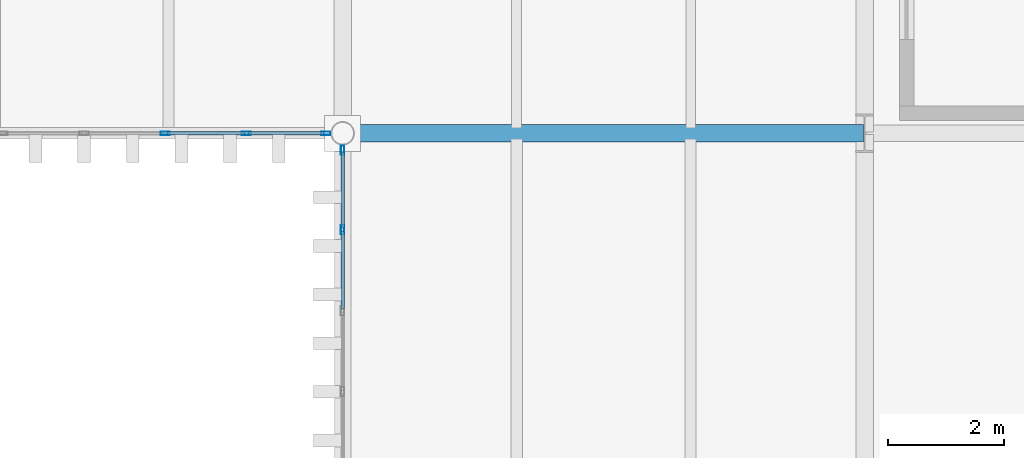
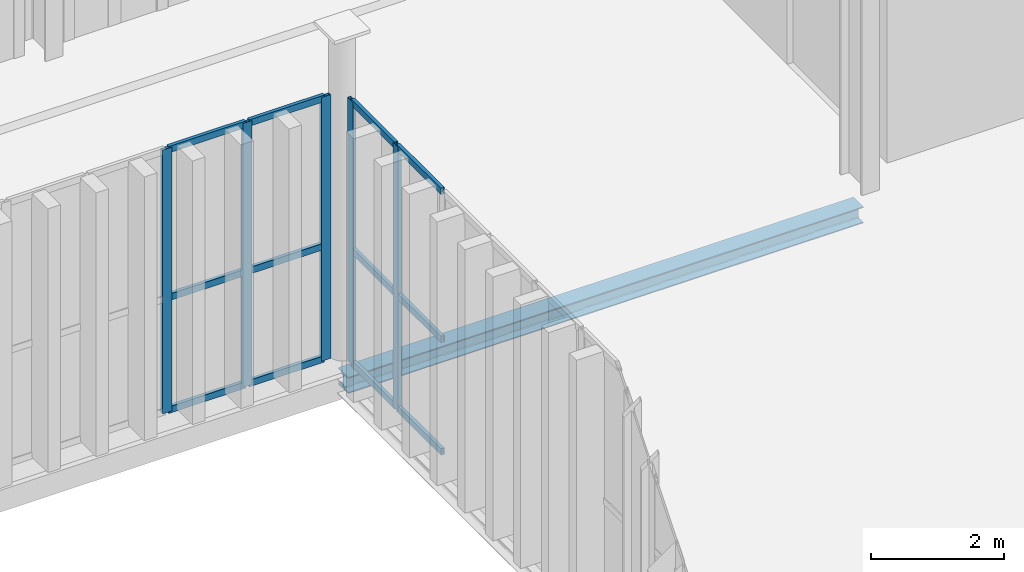
# One storey, part 148 of 237: 17 members, 1 beam, 2 elements without a shape of their own.
"""IFC4 building model written with IfcOpenShell, lengths in metres."""

from ifc_helpers import new_model, si_unit, direction, frame, origin, origin_2d, place, context, subcontext, project, spatial, hollow_rectangle, i_section, extrude, material, layer, layer_set, material_profile, profile_set, type_object, element, aggregate, save


model = new_model("IFC4")

# Units and contexts
model_context = context("Model", 3, precision=1e-05, world=origin(), true_north=direction((0.0, 1.0)))
body_context = subcontext(model_context, "Body", "Model", "MODEL_VIEW")
ifc_project = project(units=[si_unit("LENGTHUNIT", "METRE"), si_unit("AREAUNIT", "SQUARE_METRE"), si_unit("VOLUMEUNIT", "CUBIC_METRE"), si_unit("PLANEANGLEUNIT", "RADIAN"), si_unit("MASSUNIT", "GRAM", prefix="KILO")], contexts=[model_context])

# Site, building, storey
site_placement = place(None, origin())
site = spatial("IfcSite", under=ifc_project, at=site_placement, CompositionType="ELEMENT")
building_placement = place(site_placement, origin())
building = spatial("IfcBuilding", under=site, at=building_placement, Name="Barlavento Convention Centre", CompositionType="ELEMENT")
storey_placement = place(building_placement, frame((0.0, 0.0, 12.0)))
storey = spatial("IfcBuildingStorey", under=building, at=storey_placement, Name="L02", CompositionType="ELEMENT", Elevation=12.0)

# Curtain wall, members
ifc_material_1 = material(Name="Powder-coated aluminium and Low-E glass", Category="aluminium")
ifc_layer = layer(ifc_material_1, 0.195068359375)
ifc_layer_set = layer_set([ifc_layer], Name="ARC-CW-PATIO-A")
curtain_wall_type = type_object("IfcCurtainWallType", Name="ARC-CW-PATIO-A", PredefinedType="NOTDEFINED", material=ifc_layer_set)
curtain_wall_1_placement = place(storey_placement, origin())
curtain_wall_1 = element("IfcCurtainWall", 1, at=curtain_wall_1_placement, inside=storey, type_object=curtain_wall_type, Name="L02 unitised curtain wall CW11", PredefinedType="NOTDEFINED")
ifc_material_2 = material(Name="Powder-coated aluminium", Category="aluminium")
ifc_material_profile_1 = material_profile(ifc_material_2, hollow_rectangle(XDim=0.06005859375, YDim=0.159912109375, WallThickness=0.00390625, at=origin_2d()), Name="AL-MULL 60x160x4")
ifc_profile_set_1 = profile_set([ifc_material_profile_1], Name="Powder-coated aluminium")
member_type_1 = type_object("IfcMemberType", Name="ARC-CWM-60X160", PredefinedType="MULLION", material=ifc_profile_set_1)
member_1_placement = place(storey_placement, frame((167.93994140625, 90.0, 0.0), z_axis=(0.0, 0.0, 1.0), x_axis=(0.0, 1.0, 0.0)))
member_1 = element("IfcMember", 2, at=member_1_placement, type_object=member_type_1, Name="CW11 mullion 5", PredefinedType="MULLION", context=body_context, shape_type="SweptSolid", body=[
    extrude(hollow_rectangle(XDim=0.06005859375, YDim=0.159912109375, WallThickness=0.00390625, at=origin_2d()), origin(), (0.0, 0.0, 1.0), 4.85009765625),
])
member_2_placement = place(storey_placement, frame((169.33837890625, 90.0, 0.0), z_axis=(0.0, 0.0, 1.0), x_axis=(0.0, 1.0, 0.0)))
member_2 = element("IfcMember", 3, at=member_2_placement, type_object=member_type_1, Name="CW11 mullion 6", PredefinedType="MULLION", context=body_context, shape_type="SweptSolid", body=[
    extrude(hollow_rectangle(XDim=0.06005859375, YDim=0.159912109375, WallThickness=0.00390625, at=origin_2d()), origin(), (0.0, 0.0, 1.0), 4.85009765625),
])
member_3_placement = place(storey_placement, frame((170.706787109375, 90.0, 0.0), z_axis=(0.0, 0.0, 1.0), x_axis=(0.0, 1.0, 0.0)))
member_3 = element("IfcMember", 4, at=member_3_placement, type_object=member_type_1, Name="CW11 mullion 7", PredefinedType="MULLION", context=body_context, shape_type="SweptSolid", body=[
    extrude(hollow_rectangle(XDim=0.06005859375, YDim=0.159912109375, WallThickness=0.00390625, at=origin_2d()), origin(), (0.0, 0.0, 1.0), 4.85009765625),
])

curtain_wall_2_placement = place(storey_placement, origin())
curtain_wall_2 = element("IfcCurtainWall", 5, at=curtain_wall_2_placement, inside=storey, type_object=curtain_wall_type, Name="L02 unitised curtain wall CW11", PredefinedType="NOTDEFINED")
member_4_placement = place(storey_placement, frame((171.0, 88.33837890625, 0.0), z_axis=(0.0, 0.0, 1.0), x_axis=(-1.0, 0.0, 0.0)))
member_4 = element("IfcMember", 6, at=member_4_placement, type_object=member_type_1, Name="CW11 mullion 6", PredefinedType="MULLION", context=body_context, shape_type="SweptSolid", body=[
    extrude(hollow_rectangle(XDim=0.06005859375, YDim=0.159912109375, WallThickness=0.00390625, at=origin_2d()), origin(), (0.0, 0.0, 1.0), 4.85009765625),
])
member_5_placement = place(storey_placement, frame((171.0, 89.706787109375, 0.0), z_axis=(0.0, 0.0, 1.0), x_axis=(-1.0, 0.0, 0.0)))
member_5 = element("IfcMember", 7, at=member_5_placement, type_object=member_type_1, Name="CW11 mullion 7", PredefinedType="MULLION", context=body_context, shape_type="SweptSolid", body=[
    extrude(hollow_rectangle(XDim=0.06005859375, YDim=0.159912109375, WallThickness=0.00390625, at=origin_2d()), origin(), (0.0, 0.0, 1.0), 4.85009765625),
])

# Member
ifc_material_profile_2 = material_profile(ifc_material_2, hollow_rectangle(XDim=0.06005859375, YDim=0.1201171875, WallThickness=0.00390625, at=origin_2d()), Name="AL-TRAN 60x120x4")
ifc_profile_set_2 = profile_set([ifc_material_profile_2], Name="Powder-coated aluminium")
member_type_2 = type_object("IfcMemberType", Name="ARC-CWT-60X120", PredefinedType="USERDEFINED", material=ifc_profile_set_2)
member_6_placement = place(storey_placement, frame((167.969970703125, 90.0, 0.030029296875), z_axis=(1.0, 0.0, 0.0), x_axis=(0.0, 1.0, 0.0)))
member_6 = element("IfcMember", 8, at=member_6_placement, type_object=member_type_2, Name="CW11 transom 5.1", ObjectType="TRANSOM", PredefinedType="USERDEFINED", context=body_context, shape_type="SweptSolid", body=[
    extrude(hollow_rectangle(XDim=0.06005859375, YDim=0.1201171875, WallThickness=0.00390625, at=origin_2d()), origin(), (0.0, 0.0, 1.0), 1.33837890625),
])

member_7_placement = place(storey_placement, frame((167.969970703125, 90.0, 2.10009765625), z_axis=(1.0, 0.0, 0.0), x_axis=(0.0, 1.0, 0.0)))
member_7 = element("IfcMember", 9, at=member_7_placement, type_object=member_type_2, Name="CW11 transom 5.2", ObjectType="TRANSOM", PredefinedType="USERDEFINED", context=body_context, shape_type="SweptSolid", body=[
    extrude(hollow_rectangle(XDim=0.06005859375, YDim=0.1201171875, WallThickness=0.00390625, at=origin_2d()), origin(), (0.0, 0.0, 1.0), 1.33837890625),
])

member_8_placement = place(storey_placement, frame((167.969970703125, 90.0, 4.820068359375), z_axis=(1.0, 0.0, 0.0), x_axis=(0.0, 1.0, 0.0)))
member_8 = element("IfcMember", 10, at=member_8_placement, type_object=member_type_2, Name="CW11 transom 5.3", ObjectType="TRANSOM", PredefinedType="USERDEFINED", context=body_context, shape_type="SweptSolid", body=[
    extrude(hollow_rectangle(XDim=0.06005859375, YDim=0.1201171875, WallThickness=0.00390625, at=origin_2d()), origin(), (0.0, 0.0, 1.0), 1.33837890625),
])

member_9_placement = place(storey_placement, frame((169.368408203125, 90.0, 0.030029296875), z_axis=(1.0, 0.0, 0.0), x_axis=(0.0, 1.0, 0.0)))
member_9 = element("IfcMember", 11, at=member_9_placement, type_object=member_type_2, Name="CW11 transom 6.1", ObjectType="TRANSOM", PredefinedType="USERDEFINED", context=body_context, shape_type="SweptSolid", body=[
    extrude(hollow_rectangle(XDim=0.06005859375, YDim=0.1201171875, WallThickness=0.00390625, at=origin_2d()), origin(), (0.0, 0.0, 1.0), 1.308349609375),
])

member_10_placement = place(storey_placement, frame((169.368408203125, 90.0, 2.10009765625), z_axis=(1.0, 0.0, 0.0), x_axis=(0.0, 1.0, 0.0)))
member_10 = element("IfcMember", 12, at=member_10_placement, type_object=member_type_2, Name="CW11 transom 6.2", ObjectType="TRANSOM", PredefinedType="USERDEFINED", context=body_context, shape_type="SweptSolid", body=[
    extrude(hollow_rectangle(XDim=0.06005859375, YDim=0.1201171875, WallThickness=0.00390625, at=origin_2d()), origin(), (0.0, 0.0, 1.0), 1.308349609375),
])

member_11_placement = place(storey_placement, frame((169.368408203125, 90.0, 4.820068359375), z_axis=(1.0, 0.0, 0.0), x_axis=(0.0, 1.0, 0.0)))
member_11 = element("IfcMember", 13, at=member_11_placement, type_object=member_type_2, Name="CW11 transom 6.3", ObjectType="TRANSOM", PredefinedType="USERDEFINED", context=body_context, shape_type="SweptSolid", body=[
    extrude(hollow_rectangle(XDim=0.06005859375, YDim=0.1201171875, WallThickness=0.00390625, at=origin_2d()), origin(), (0.0, 0.0, 1.0), 1.308349609375),
])

aggregate(curtain_wall_1, [member_1, member_2, member_3, member_6, member_7, member_8, member_9, member_10, member_11])

member_12_placement = place(storey_placement, frame((171.0, 86.969970703125, 0.030029296875), z_axis=(0.0, 1.0, 0.0), x_axis=(-1.0, 0.0, 0.0)))
member_12 = element("IfcMember", 14, at=member_12_placement, type_object=member_type_2, Name="CW11 transom 5.1", ObjectType="TRANSOM", PredefinedType="USERDEFINED", context=body_context, shape_type="SweptSolid", body=[
    extrude(hollow_rectangle(XDim=0.06005859375, YDim=0.1201171875, WallThickness=0.00390625, at=origin_2d()), origin(), (0.0, 0.0, 1.0), 1.33837890625),
])

member_13_placement = place(storey_placement, frame((171.0, 86.969970703125, 2.10009765625), z_axis=(0.0, 1.0, 0.0), x_axis=(-1.0, 0.0, 0.0)))
member_13 = element("IfcMember", 15, at=member_13_placement, type_object=member_type_2, Name="CW11 transom 5.2", ObjectType="TRANSOM", PredefinedType="USERDEFINED", context=body_context, shape_type="SweptSolid", body=[
    extrude(hollow_rectangle(XDim=0.06005859375, YDim=0.1201171875, WallThickness=0.00390625, at=origin_2d()), origin(), (0.0, 0.0, 1.0), 1.33837890625),
])

member_14_placement = place(storey_placement, frame((171.0, 86.969970703125, 4.820068359375), z_axis=(0.0, 1.0, 0.0), x_axis=(-1.0, 0.0, 0.0)))
member_14 = element("IfcMember", 16, at=member_14_placement, type_object=member_type_2, Name="CW11 transom 5.3", ObjectType="TRANSOM", PredefinedType="USERDEFINED", context=body_context, shape_type="SweptSolid", body=[
    extrude(hollow_rectangle(XDim=0.06005859375, YDim=0.1201171875, WallThickness=0.00390625, at=origin_2d()), origin(), (0.0, 0.0, 1.0), 1.33837890625),
])

member_15_placement = place(storey_placement, frame((171.0, 88.368408203125, 0.030029296875), z_axis=(0.0, 1.0, 0.0), x_axis=(-1.0, 0.0, 0.0)))
member_15 = element("IfcMember", 17, at=member_15_placement, type_object=member_type_2, Name="CW11 transom 6.1", ObjectType="TRANSOM", PredefinedType="USERDEFINED", context=body_context, shape_type="SweptSolid", body=[
    extrude(hollow_rectangle(XDim=0.06005859375, YDim=0.1201171875, WallThickness=0.00390625, at=origin_2d()), origin(), (0.0, 0.0, 1.0), 1.308349609375),
])

member_16_placement = place(storey_placement, frame((171.0, 88.368408203125, 2.10009765625), z_axis=(0.0, 1.0, 0.0), x_axis=(-1.0, 0.0, 0.0)))
member_16 = element("IfcMember", 18, at=member_16_placement, type_object=member_type_2, Name="CW11 transom 6.2", ObjectType="TRANSOM", PredefinedType="USERDEFINED", context=body_context, shape_type="SweptSolid", body=[
    extrude(hollow_rectangle(XDim=0.06005859375, YDim=0.1201171875, WallThickness=0.00390625, at=origin_2d()), origin(), (0.0, 0.0, 1.0), 1.308349609375),
])

member_17_placement = place(storey_placement, frame((171.0, 88.368408203125, 4.820068359375), z_axis=(0.0, 1.0, 0.0), x_axis=(-1.0, 0.0, 0.0)))
member_17 = element("IfcMember", 19, at=member_17_placement, type_object=member_type_2, Name="CW11 transom 6.3", ObjectType="TRANSOM", PredefinedType="USERDEFINED", context=body_context, shape_type="SweptSolid", body=[
    extrude(hollow_rectangle(XDim=0.06005859375, YDim=0.1201171875, WallThickness=0.00390625, at=origin_2d()), origin(), (0.0, 0.0, 1.0), 1.308349609375),
])

aggregate(curtain_wall_2, [member_4, member_5, member_12, member_13, member_14, member_15, member_16, member_17])

# Beam
ifc_material_3 = material(Name="Steel S355", Category="steel")
ifc_material_profile_3 = material_profile(ifc_material_3, i_section(OverallWidth=0.300048828125, OverallDepth=0.300048828125, WebThickness=0.010986328125, FlangeThickness=0.01904296875, FilletRadius=0.027099609375, at=origin_2d()), Name="HEB 300")
ifc_profile_set_3 = profile_set([ifc_material_profile_3], Name="Steel S355")
beam_type = type_object("IfcBeamType", Name="STR-BM-PRI-HEB300", PredefinedType="BEAM", material=ifc_profile_set_3)
beam_placement = place(storey_placement, frame((171.02001953125, 90.0, -0.510009765625), z_axis=(1.0, 0.0, 0.0), x_axis=(0.0, 1.0, 0.0)))
element("IfcBeam", 20, at=beam_placement, inside=storey, type_object=beam_type, Name="L02 primary girder BG14", PredefinedType="BEAM", context=body_context, shape_type="SweptSolid", body=[
    extrude(i_section(OverallWidth=0.300048828125, OverallDepth=0.300048828125, WebThickness=0.010986328125, FlangeThickness=0.01904296875, FilletRadius=0.027099609375, at=origin_2d()), origin(), (0.0, 0.0, 1.0), 8.9599609375),
])

save(model, "model.ifc")
